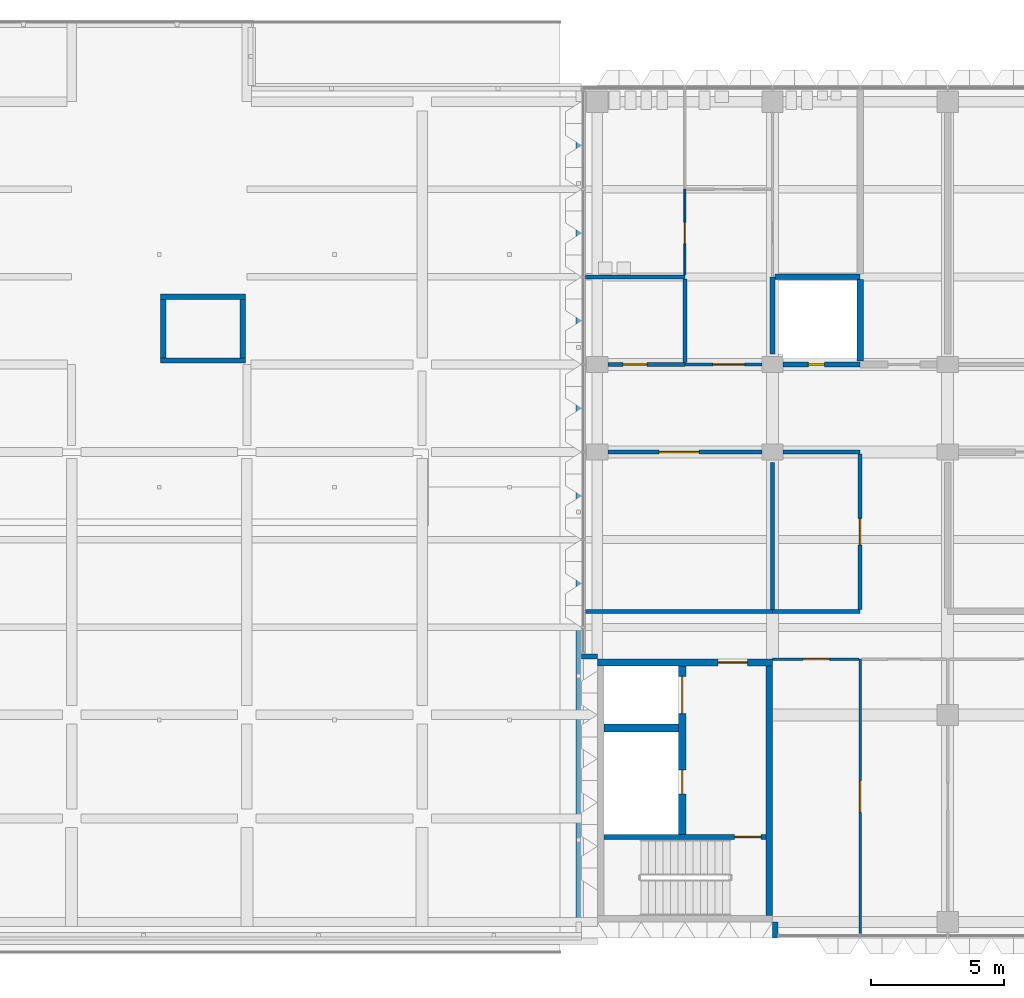
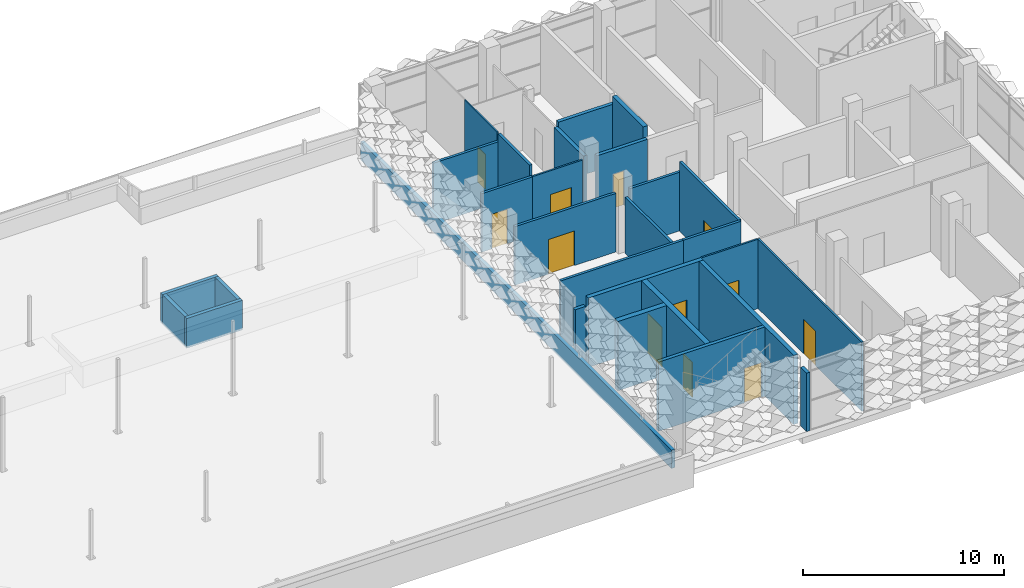
# One storey, part 11 of 39: 29 walls, 12 doors, 12 openings.
"""IFC4 building model written with IfcOpenShell, lengths in metres."""

from ifc_helpers import new_model, si_unit, direction, frame, frame_2d, origin, place, context, subcontext, project, spatial, rectangle, extrude, material, layer, layer_set, type_object, element, fill, save


model = new_model("IFC4")

# Units and contexts
model_context = context("Model", 3, precision=1e-05, world=origin(), true_north=direction((0.0, 1.0)))
body_context = subcontext(model_context, "Body", "Model", "MODEL_VIEW")
ifc_project = project(units=[si_unit("LENGTHUNIT", "METRE"), si_unit("AREAUNIT", "SQUARE_METRE"), si_unit("VOLUMEUNIT", "CUBIC_METRE"), si_unit("PLANEANGLEUNIT", "RADIAN"), si_unit("MASSUNIT", "GRAM", prefix="KILO")], contexts=[model_context])

# Site, building, storey
site_placement = place(None, origin())
site = spatial("IfcSite", under=ifc_project, at=site_placement, CompositionType="ELEMENT")
building_placement = place(site_placement, origin())
building = spatial("IfcBuilding", under=site, at=building_placement, Name="Lantern Court Research Institute", CompositionType="ELEMENT")
storey_placement = place(building_placement, frame((0.0, 0.0, 27.89990234375)))
storey = spatial("IfcBuildingStorey", under=building, at=storey_placement, Name="L06", CompositionType="ELEMENT", Elevation=27.89990234375)

# Wall, opening, door
ifc_material_1 = material(Name="Insulated metal-faced clean-room panel")
ifc_layer_1 = layer(ifc_material_1, 0.10009765625)
ifc_layer_set_1 = layer_set([ifc_layer_1], Name="Insulated metal-faced clean-room panel")
wall_type_1 = type_object("IfcWallType", Name="Clean-room panel 100 EI 30", PredefinedType="PARTITIONING", material=ifc_layer_set_1)
wall_1_placement = place(storey_placement, frame((62.699951171875, 2.10009765625, 0.0), z_axis=(0.0, 0.0, 1.0), x_axis=(0.0, -1.0, 0.0)))
wall_1 = element("IfcWall", 1, at=wall_1_placement, inside=storey, type_object=wall_type_1, Name="Clean-room panel 100 EI 30", PredefinedType="PARTITIONING", context=body_context, shape_type="SweptSolid", body=[
    extrude(rectangle(XDim=10.35009765625, YDim=0.10009765625, at=frame_2d((5.175048828125, 0.0))), origin(), (0.0, 0.0, 1.0), 4.2001953125),
])
opening_1_placement = place(wall_1_placement, frame((4.574951171875, 0.0, 0.0)))
opening_1 = element("IfcOpeningElement", 2, at=opening_1_placement, cuts=wall_1, Name="Opening D5610", PredefinedType="OPENING", context=body_context, shape_type="SweptSolid", body=[
    extrude(rectangle(XDim=1.199951171875, YDim=2.10009765625, at=frame_2d((0.60009765625, 1.050048828125))), frame((0.0, 0.06005859375, 0.0), z_axis=(0.0, -1.0, 0.0), x_axis=(1.0, 0.0, 0.0)), (0.0, 0.0, 1.0), 0.1201171875),
])
ifc_material_2 = material(Name="Solid-core timber door leaf", Category="wood")
ifc_layer_2 = layer(ifc_material_2, 0.053955078125)
ifc_layer_set_2 = layer_set([ifc_layer_2], Name="Solid-core timber door leaf")
door_type_1 = type_object("IfcDoorType", Name="Sealed airlock door 1200 x 2100 single FD30S", OperationType="NOTDEFINED", PredefinedType="DOOR", material=ifc_layer_set_2)
door_1_placement = place(opening_1_placement, origin())
door_1 = element("IfcDoor", 3, at=door_1_placement, inside=storey, type_object=door_type_1, Name="Door D5610", OperationType="SINGLE_SWING_RIGHT", OverallHeight=2.10009765625, OverallWidth=1.199951171875, PredefinedType="DOOR", context=body_context, shape_type="SweptSolid", body=[
    extrude(rectangle(XDim=1.199951171875, YDim=2.10009765625, at=frame_2d((0.60009765625, 1.050048828125))), frame((0.0, 0.02685546875, 0.0), z_axis=(0.0, -1.0, 0.0), x_axis=(1.0, 0.0, 0.0)), (0.0, 0.0, 1.0), 0.053955078125),
])
fill(opening_1, door_1)

wall_2_placement = place(storey_placement, frame((62.64990234375, 2.10009765625, 0.0), z_axis=(0.0, 0.0, 1.0), x_axis=(-1.0, 0.0, 0.0)))
wall_2 = element("IfcWall", 4, at=wall_2_placement, inside=storey, type_object=wall_type_1, Name="Clean-room panel 100 EI 30", PredefinedType="PARTITIONING", context=body_context, shape_type="SweptSolid", body=[
    extrude(rectangle(XDim=3.249755859375, YDim=0.10009765625, at=frame_2d((1.625, 0.0))), origin(), (0.0, 0.0, 1.0), 4.2001953125),
])
opening_2_placement = place(wall_2_placement, frame((1.10009765625, 0.0, 0.0)))
opening_2 = element("IfcOpeningElement", 5, at=opening_2_placement, cuts=wall_2, Name="Opening D5609", PredefinedType="OPENING", context=body_context, shape_type="SweptSolid", body=[
    extrude(rectangle(XDim=1.0, YDim=2.10009765625, at=frame_2d((0.5, 1.050048828125))), frame((0.0, 0.06005859375, 0.0), z_axis=(0.0, -1.0, 0.0), x_axis=(1.0, 0.0, 0.0)), (0.0, 0.0, 1.0), 0.1201171875),
])
ifc_material_3 = material(Name="Solid-core timber door leaf", Category="wood")
ifc_layer_3 = layer(ifc_material_3, 0.053955078125)
ifc_layer_set_3 = layer_set([ifc_layer_3], Name="Solid-core timber door leaf")
door_type_2 = type_object("IfcDoorType", Name="Gowning room door 1000 x 2100 single FD30S", OperationType="NOTDEFINED", PredefinedType="DOOR", material=ifc_layer_set_3)
door_2_placement = place(opening_2_placement, origin())
door_2 = element("IfcDoor", 6, at=door_2_placement, inside=storey, type_object=door_type_2, Name="Door D5609", OperationType="SINGLE_SWING_LEFT", OverallHeight=2.10009765625, OverallWidth=1.0, PredefinedType="DOOR", context=body_context, shape_type="SweptSolid", body=[
    extrude(rectangle(XDim=1.0, YDim=2.10009765625, at=frame_2d((0.5, 1.050048828125))), frame((0.0, 0.02685546875, 0.0), z_axis=(0.0, -1.0, 0.0), x_axis=(1.0, 0.0, 0.0)), (0.0, 0.0, 1.0), 0.053955078125),
])
fill(opening_2, door_2)

ifc_material_4 = material(Name="Fire-rated gypsum board partition, mineral wool filled")
ifc_layer_4 = layer(ifc_material_4, 0.199951171875)
ifc_layer_set_4 = layer_set([ifc_layer_4], Name="Fire-rated gypsum board partition, mineral wool filled")
wall_type_2 = type_object("IfcWallType", Name="Compartment wall 200 EI 120", PredefinedType="PARTITIONING", material=ifc_layer_set_4)
wall_3_placement = place(storey_placement, frame((59.800048828125, 13.199951171875, 0.0), z_axis=(0.0, 0.0, 1.0), x_axis=(1.0, 0.0, 0.0)))
wall_3 = element("IfcWall", 7, at=wall_3_placement, inside=storey, type_object=wall_type_2, Name="Compartment wall 200 EI 120", PredefinedType="PARTITIONING", context=body_context, shape_type="SweptSolid", body=[
    extrude(rectangle(XDim=2.89990234375, YDim=0.199951171875, at=frame_2d((1.449951171875, 0.0))), origin(), (0.0, 0.0, 1.0), 3.550048828125),
])
opening_3_placement = place(wall_3_placement, frame((0.949951171875, 0.0, 0.0)))
opening_3 = element("IfcOpeningElement", 8, at=opening_3_placement, cuts=wall_3, Name="Opening D5605", PredefinedType="OPENING", context=body_context, shape_type="SweptSolid", body=[
    extrude(rectangle(XDim=0.60009765625, YDim=2.10009765625, at=frame_2d((0.300048828125, 1.050048828125))), frame((0.0, 0.10986328125, 0.0), z_axis=(0.0, -1.0, 0.0), x_axis=(1.0, 0.0, 0.0)), (0.0, 0.0, 1.0), 0.219970703125),
])
ifc_material_5 = material(Name="Solid-core timber door leaf", Category="wood")
ifc_layer_5 = layer(ifc_material_5, 0.06005859375)
ifc_layer_set_5 = layer_set([ifc_layer_5], Name="Solid-core timber door leaf")
door_type_3 = type_object("IfcDoorType", Name="Service riser door 600 x 2100 single FD60", OperationType="NOTDEFINED", PredefinedType="DOOR", material=ifc_layer_set_5)
door_3_placement = place(opening_3_placement, origin())
door_3 = element("IfcDoor", 9, at=door_3_placement, inside=storey, type_object=door_type_3, Name="Door D5605", OperationType="SINGLE_SWING_RIGHT", OverallHeight=2.10009765625, OverallWidth=0.60009765625, PredefinedType="DOOR", context=body_context, shape_type="SweptSolid", body=[
    extrude(rectangle(XDim=0.60009765625, YDim=2.10009765625, at=frame_2d((0.300048828125, 1.050048828125))), frame((0.0, 0.030029296875, 0.0), z_axis=(0.0, -1.0, 0.0), x_axis=(1.0, 0.0, 0.0)), (0.0, 0.0, 1.0), 0.06005859375),
])
fill(opening_3, door_3)

# Walls
wall_4_placement = place(storey_placement, frame((59.39990234375, 13.60009765625, 0.0), z_axis=(0.0, 0.0, 1.0), x_axis=(0.0, 1.0, 0.0)))
element("IfcWall", 10, at=wall_4_placement, inside=storey, type_object=wall_type_2, Name="Compartment wall 200 EI 120", PredefinedType="PARTITIONING", context=body_context, shape_type="SweptSolid", body=[
    extrude(rectangle(XDim=2.89990234375, YDim=0.199951171875, at=frame_2d((1.449951171875, 0.0))), origin(), (0.0, 0.0, 1.0), 3.400146484375),
])
wall_5_placement = place(storey_placement, frame((62.699951171875, 16.5, 0.0), z_axis=(0.0, 0.0, 1.0), x_axis=(-1.0, 0.0, 0.0)))
element("IfcWall", 11, at=wall_5_placement, inside=storey, type_object=wall_type_2, Name="Compartment wall 200 EI 120", PredefinedType="PARTITIONING", context=body_context, shape_type="SweptSolid", body=[
    extrude(rectangle(XDim=3.199951171875, YDim=0.199951171875, at=frame_2d((1.60009765625, 0.0))), origin(), (0.0, 0.0, 1.0), 3.7001953125),
])

# Wall, opening, door
ifc_material_6 = material(Name="Fire-rated gypsum board partition, mineral wool filled")
ifc_layer_6 = layer(ifc_material_6, 0.14990234375)
ifc_layer_set_6 = layer_set([ifc_layer_6], Name="Fire-rated gypsum board partition, mineral wool filled")
wall_type_3 = type_object("IfcWallType", Name="Laboratory partition 150 EI 60", PredefinedType="PARTITIONING", material=ifc_layer_set_6)
wall_6_placement = place(storey_placement, frame((56.10009765625, 13.199951171875, 0.0), z_axis=(0.0, 0.0, 1.0), x_axis=(-1.0, 0.0, 0.0)))
wall_6 = element("IfcWall", 12, at=wall_6_placement, inside=storey, type_object=wall_type_3, Name="Laboratory partition 150 EI 60", PredefinedType="PARTITIONING", context=body_context, shape_type="SweptSolid", body=[
    extrude(rectangle(XDim=2.900146484375, YDim=0.14990234375, at=frame_2d((1.4501953125, 0.0))), origin(), (0.0, 0.0, 1.0), 3.550048828125),
])
opening_4_placement = place(wall_6_placement, frame((1.425048828125, 0.0, 0.0)))
opening_4 = element("IfcOpeningElement", 13, at=opening_4_placement, cuts=wall_6, Name="Opening D5601", PredefinedType="OPENING", context=body_context, shape_type="SweptSolid", body=[
    extrude(rectangle(XDim=0.89990234375, YDim=2.10009765625, at=frame_2d((0.449951171875, 1.050048828125))), frame((0.0, 0.0849609375, 0.0), z_axis=(0.0, -1.0, 0.0), x_axis=(1.0, 0.0, 0.0)), (0.0, 0.0, 1.0), 0.169921875),
])
ifc_material_7 = material(Name="Solid-core timber door leaf", Category="wood")
ifc_layer_7 = layer(ifc_material_7, 0.053955078125)
ifc_layer_set_7 = layer_set([ifc_layer_7], Name="Solid-core timber door leaf")
door_type_4 = type_object("IfcDoorType", Name="Cleaners store door 900 x 2100 single FD30S", OperationType="NOTDEFINED", PredefinedType="DOOR", material=ifc_layer_set_7)
door_4_placement = place(opening_4_placement, origin())
door_4 = element("IfcDoor", 14, at=door_4_placement, inside=storey, type_object=door_type_4, Name="Door D5601", OperationType="SINGLE_SWING_LEFT", OverallHeight=2.10009765625, OverallWidth=0.89990234375, PredefinedType="DOOR", context=body_context, shape_type="SweptSolid", body=[
    extrude(rectangle(XDim=0.89990234375, YDim=2.10009765625, at=frame_2d((0.449951171875, 1.050048828125))), frame((0.0, 0.02685546875, 0.0), z_axis=(0.0, -1.0, 0.0), x_axis=(1.0, 0.0, 0.0)), (0.0, 0.0, 1.0), 0.053955078125),
])
fill(opening_4, door_4)

wall_7_placement = place(storey_placement, frame((53.199951171875, 9.89990234375, 0.0), z_axis=(0.0, 0.0, 1.0), x_axis=(1.0, 0.0, 0.0)))
wall_7 = element("IfcWall", 15, at=wall_7_placement, inside=storey, type_object=wall_type_3, Name="Laboratory partition 150 EI 60", PredefinedType="PARTITIONING", context=body_context, shape_type="SweptSolid", body=[
    extrude(rectangle(XDim=5.800048828125, YDim=0.14990234375, at=frame_2d((2.89990234375, 0.0))), origin(), (0.0, 0.0, 1.0), 3.550048828125),
])
opening_5_placement = place(wall_7_placement, frame((1.925048828125, 0.0, 0.0)))
opening_5 = element("IfcOpeningElement", 16, at=opening_5_placement, cuts=wall_7, Name="Opening D5615", PredefinedType="OPENING", context=body_context, shape_type="SweptSolid", body=[
    extrude(rectangle(XDim=1.5, YDim=2.10009765625, at=frame_2d((0.75, 1.050048828125))), frame((0.0, 0.0849609375, 0.0), z_axis=(0.0, -1.0, 0.0), x_axis=(1.0, 0.0, 0.0)), (0.0, 0.0, 1.0), 0.169921875),
])
ifc_material_8 = material(Name="Solid-core timber door leaf with vision panel", Category="wood")
ifc_layer_8 = layer(ifc_material_8, 0.053955078125)
ifc_layer_set_8 = layer_set([ifc_layer_8], Name="Solid-core timber door leaf with vision panel")
door_type_5 = type_object("IfcDoorType", Name="Laboratory double door 1500 x 2100 pair FD30S", OperationType="DOUBLE_DOOR_SINGLE_SWING", PredefinedType="DOOR", material=ifc_layer_set_8)
door_5_placement = place(opening_5_placement, origin())
door_5 = element("IfcDoor", 17, at=door_5_placement, inside=storey, type_object=door_type_5, Name="Door D5615", OperationType="DOUBLE_DOOR_SINGLE_SWING", OverallHeight=2.10009765625, OverallWidth=1.5, PredefinedType="DOOR", context=body_context, shape_type="SweptSolid", body=[
    extrude(rectangle(XDim=1.5, YDim=2.10009765625, at=frame_2d((0.75, 1.050048828125))), frame((0.0, 0.02685546875, 0.0), z_axis=(0.0, -1.0, 0.0), x_axis=(1.0, 0.0, 0.0)), (0.0, 0.0, 1.0), 0.053955078125),
])
fill(opening_5, door_5)

# Walls
wall_8_placement = place(storey_placement, frame((59.800048828125, 9.89990234375, 0.0), z_axis=(0.0, 0.0, 1.0), x_axis=(1.0, 0.0, 0.0)))
element("IfcWall", 18, at=wall_8_placement, inside=storey, type_object=wall_type_3, Name="Laboratory partition 150 EI 60", PredefinedType="PARTITIONING", context=body_context, shape_type="SweptSolid", body=[
    extrude(rectangle(XDim=2.89990234375, YDim=0.14990234375, at=frame_2d((1.449951171875, 0.0))), origin(), (0.0, 0.0, 1.0), 3.550048828125),
])
wall_9_placement = place(storey_placement, frame((56.10009765625, 16.5, 0.0), z_axis=(0.0, 0.0, 1.0), x_axis=(-1.0, 0.0, 0.0)))
element("IfcWall", 19, at=wall_9_placement, inside=storey, type_object=wall_type_3, Name="Laboratory partition 150 EI 60", PredefinedType="PARTITIONING", context=body_context, shape_type="SweptSolid", body=[
    extrude(rectangle(XDim=3.75, YDim=0.14990234375, at=frame_2d((1.875, 0.0))), origin(), (0.0, 0.0, 1.0), 3.7001953125),
])
wall_10_placement = place(storey_placement, frame((56.10009765625, 13.27490234375, 0.0), z_axis=(0.0, 0.0, 1.0), x_axis=(0.0, 1.0, 0.0)))
element("IfcWall", 20, at=wall_10_placement, inside=storey, type_object=wall_type_3, Name="Laboratory partition 150 EI 60", PredefinedType="PARTITIONING", context=body_context, shape_type="SweptSolid", body=[
    extrude(rectangle(XDim=3.150146484375, YDim=0.14990234375, at=frame_2d((1.5751953125, 0.0))), origin(), (0.0, 0.0, 1.0), 4.2001953125),
])
wall_11_placement = place(storey_placement, frame((59.39990234375, 3.89990234375, 0.0), z_axis=(0.0, 0.0, 1.0), x_axis=(-1.0, 0.0, 0.0)))
element("IfcWall", 21, at=wall_11_placement, inside=storey, type_object=wall_type_3, Name="Laboratory partition 150 EI 60", PredefinedType="PARTITIONING", context=body_context, shape_type="SweptSolid", body=[
    extrude(rectangle(XDim=7.0498046875, YDim=0.14990234375, at=frame_2d((3.52490234375, 0.0))), origin(), (0.0, 0.0, 1.0), 4.2001953125),
])
wall_12_placement = place(storey_placement, frame((62.699951171875, 3.89990234375, 0.0), z_axis=(0.0, 0.0, 1.0), x_axis=(-1.0, 0.0, 0.0)))
element("IfcWall", 22, at=wall_12_placement, inside=storey, type_object=wall_type_3, Name="Laboratory partition 150 EI 60", PredefinedType="PARTITIONING", context=body_context, shape_type="SweptSolid", body=[
    extrude(rectangle(XDim=3.300048828125, YDim=0.14990234375, at=frame_2d((1.64990234375, 0.0))), origin(), (0.0, 0.0, 1.0), 4.2001953125),
])
wall_13_placement = place(storey_placement, frame((59.39990234375, 3.97509765625, 0.0), z_axis=(0.0, 0.0, 1.0), x_axis=(0.0, 1.0, 0.0)))
element("IfcWall", 23, at=wall_13_placement, inside=storey, type_object=wall_type_3, Name="Laboratory partition 150 EI 60", PredefinedType="PARTITIONING", context=body_context, shape_type="SweptSolid", body=[
    extrude(rectangle(XDim=5.52490234375, YDim=0.14990234375, at=frame_2d((2.762451171875, 0.0))), origin(), (0.0, 0.0, 1.0), 3.400146484375),
])

# Wall, opening, door
wall_14_placement = place(storey_placement, frame((62.699951171875, 9.824951171875, 0.0), z_axis=(0.0, 0.0, 1.0), x_axis=(0.0, -1.0, 0.0)))
wall_14 = element("IfcWall", 24, at=wall_14_placement, inside=storey, type_object=wall_type_3, Name="Laboratory partition 150 EI 60", PredefinedType="PARTITIONING", context=body_context, shape_type="SweptSolid", body=[
    extrude(rectangle(XDim=5.849853515625, YDim=0.14990234375, at=frame_2d((2.9248046875, 0.0))), origin(), (0.0, 0.0, 1.0), 4.2001953125),
])
opening_6_placement = place(wall_14_placement, frame((2.425048828125, 0.0, 0.0)))
opening_6 = element("IfcOpeningElement", 25, at=opening_6_placement, cuts=wall_14, Name="Opening D5616", PredefinedType="OPENING", context=body_context, shape_type="SweptSolid", body=[
    extrude(rectangle(XDim=1.0, YDim=2.10009765625, at=frame_2d((0.5, 1.050048828125))), frame((0.0, 0.0849609375, 0.0), z_axis=(0.0, -1.0, 0.0), x_axis=(1.0, 0.0, 0.0)), (0.0, 0.0, 1.0), 0.169921875),
])
ifc_material_9 = material(Name="Solid-core timber door leaf with vision panel", Category="wood")
ifc_layer_9 = layer(ifc_material_9, 0.053955078125)
ifc_layer_set_9 = layer_set([ifc_layer_9], Name="Solid-core timber door leaf with vision panel")
door_type_6 = type_object("IfcDoorType", Name="Laboratory door 1000 x 2100 single FD30S", OperationType="NOTDEFINED", PredefinedType="DOOR", material=ifc_layer_set_9)
door_6_placement = place(opening_6_placement, origin())
door_6 = element("IfcDoor", 26, at=door_6_placement, inside=storey, type_object=door_type_6, Name="Door D5616", OperationType="SINGLE_SWING_RIGHT", OverallHeight=2.10009765625, OverallWidth=1.0, PredefinedType="DOOR", context=body_context, shape_type="SweptSolid", body=[
    extrude(rectangle(XDim=1.0, YDim=2.10009765625, at=frame_2d((0.5, 1.050048828125))), frame((0.0, 0.02685546875, 0.0), z_axis=(0.0, -1.0, 0.0), x_axis=(1.0, 0.0, 0.0)), (0.0, 0.0, 1.0), 0.053955078125),
])
fill(opening_6, door_6)

# Wall
ifc_material_10 = material(Name="Concrete C30/37", Category="concrete")
ifc_layer_10 = layer(ifc_material_10, 0.199951171875)
ifc_layer_set_10 = layer_set([ifc_layer_10], Name="Concrete C30/37")
wall_type_4 = type_object("IfcWallType", Name="Parapet 200 concrete upstand", PredefinedType="PARAPET", material=ifc_layer_set_10)
wall_15_placement = place(storey_placement, frame((52.10009765625, -7.800048828125, 0.0), z_axis=(0.0, 0.0, 1.0), x_axis=(0.0, 1.0, 0.0)))
element("IfcWall", 27, at=wall_15_placement, inside=storey, type_object=wall_type_4, Name="Parapet L06 Wet Laboratory Wing 5", PredefinedType="PARAPET", context=body_context, shape_type="SweptSolid", body=[
    extrude(rectangle(XDim=30.900146484375, YDim=0.199951171875, at=frame_2d((15.4501953125, 0.0))), origin(), (0.0, 0.0, 1.0), 1.10009765625),
])

# Wall, opening, door
ifc_material_11 = material(Name="Gypsum board partition, mineral wool filled")
ifc_layer_11 = layer(ifc_material_11, 0.10009765625)
ifc_layer_set_11 = layer_set([ifc_layer_11], Name="Gypsum board partition, mineral wool filled")
wall_type_5 = type_object("IfcWallType", Name="Partition 100", PredefinedType="PARTITIONING", material=ifc_layer_set_11)
wall_16_placement = place(storey_placement, frame((56.10009765625, 13.199951171875, 0.0), z_axis=(0.0, 0.0, 1.0), x_axis=(1.0, 0.0, 0.0)))
wall_16 = element("IfcWall", 28, at=wall_16_placement, inside=storey, type_object=wall_type_5, Name="Partition 100", PredefinedType="PARTITIONING", context=body_context, shape_type="SweptSolid", body=[
    extrude(rectangle(XDim=2.89990234375, YDim=0.10009765625, at=frame_2d((1.449951171875, 0.0))), origin(), (0.0, 0.0, 1.0), 3.550048828125),
])
opening_7_placement = place(wall_16_placement, frame((1.050048828125, 0.0, 0.0)))
opening_7 = element("IfcOpeningElement", 29, at=opening_7_placement, cuts=wall_16, Name="Opening D5603", PredefinedType="OPENING", context=body_context, shape_type="SweptSolid", body=[
    extrude(rectangle(XDim=1.199951171875, YDim=2.10009765625, at=frame_2d((0.60009765625, 1.050048828125))), frame((0.0, 0.06005859375, 0.0), z_axis=(0.0, -1.0, 0.0), x_axis=(1.0, 0.0, 0.0)), (0.0, 0.0, 1.0), 0.1201171875),
])
ifc_material_12 = material(Name="Solid-core timber door leaf", Category="wood")
ifc_layer_12 = layer(ifc_material_12, 0.0439453125)
ifc_layer_set_12 = layer_set([ifc_layer_12], Name="Solid-core timber door leaf")
door_type_7 = type_object("IfcDoorType", Name="WC vestibule door 1200 x 2100 single NOT RATED", OperationType="NOTDEFINED", PredefinedType="DOOR", material=ifc_layer_set_12)
door_7_placement = place(opening_7_placement, origin())
door_7 = element("IfcDoor", 30, at=door_7_placement, inside=storey, type_object=door_type_7, Name="Door D5603", OperationType="SINGLE_SWING_RIGHT", OverallHeight=2.10009765625, OverallWidth=1.199951171875, PredefinedType="DOOR", context=body_context, shape_type="SweptSolid", body=[
    extrude(rectangle(XDim=1.199951171875, YDim=2.10009765625, at=frame_2d((0.60009765625, 1.050048828125))), frame((0.0, 0.02197265625, 0.0), z_axis=(0.0, -1.0, 0.0), x_axis=(1.0, 0.0, 0.0)), (0.0, 0.0, 1.0), 0.0439453125),
])
fill(opening_7, door_7)

# Wall
ifc_material_13 = material(Name="Fire-rated gypsum board partition, double stud, mineral wool filled")
ifc_layer_13 = layer(ifc_material_13, 0.25)
ifc_layer_set_13 = layer_set([ifc_layer_13], Name="Fire-rated gypsum board partition, double stud, mineral wool filled")
wall_type_6 = type_object("IfcWallType", Name="Plant compartment wall 250 EI 120", PredefinedType="PARTITIONING", material=ifc_layer_set_13)
wall_17_placement = place(storey_placement, frame((62.699951171875, 13.324951171875, 0.0), z_axis=(0.0, 0.0, 1.0), x_axis=(0.0, 1.0, 0.0)))
element("IfcWall", 31, at=wall_17_placement, inside=storey, type_object=wall_type_6, Name="Plant compartment wall 250 EI 120", PredefinedType="PARTITIONING", context=body_context, shape_type="SweptSolid", body=[
    extrude(rectangle(XDim=3.074951171875, YDim=0.25, at=frame_2d((1.53759765625, 0.0))), origin(), (0.0, 0.0, 1.0), 4.2001953125),
])

# Wall, opening, door
ifc_material_14 = material(Name="Concrete C40/50", Category="concrete")
ifc_layer_14 = layer(ifc_material_14, 0.25)
ifc_layer_set_14 = layer_set([ifc_layer_14], Name="Concrete C40/50")
wall_type_7 = type_object("IfcWallType", Name="RC core wall 250", PredefinedType="SHEAR", material=ifc_layer_set_14)
wall_18_placement = place(storey_placement, frame((59.39990234375, 1.97509765625, 0.0), z_axis=(0.0, 0.0, 1.0), x_axis=(-1.0, 0.0, 0.0)))
wall_18 = element("IfcWall", 32, at=wall_18_placement, inside=storey, type_object=wall_type_7, Name="North wall of core TC-W", PredefinedType="SHEAR", context=body_context, shape_type="SweptSolid", body=[
    extrude(rectangle(XDim=6.599853515625, YDim=0.25, at=frame_2d((3.2998046875, 0.0))), origin(), (0.0, 0.0, 1.0), 4.2001953125),
])
opening_8_placement = place(wall_18_placement, frame((0.949951171875, 0.0, 0.0)))
opening_8 = element("IfcOpeningElement", 33, at=opening_8_placement, cuts=wall_18, Name="Opening D7125", PredefinedType="OPENING", context=body_context, shape_type="SweptSolid", body=[
    extrude(rectangle(XDim=1.10009765625, YDim=2.10009765625, at=frame_2d((0.550048828125, 1.050048828125))), frame((0.0, 0.135009765625, 0.0), z_axis=(0.0, -1.0, 0.0), x_axis=(1.0, 0.0, 0.0)), (0.0, 0.0, 1.0), 0.27001953125),
])
ifc_material_15 = material(Name="Steel fire door leaf with smoke seals", Category="steel")
door_type_8 = type_object("IfcDoorType", Name="Door 1100 x 2100 fire rated FD60S", OperationType="NOTDEFINED", PredefinedType="DOOR", material=ifc_material_15)
door_8_placement = place(opening_8_placement, origin())
door_8 = element("IfcDoor", 34, at=door_8_placement, inside=storey, type_object=door_type_8, Name="Lobby door", OperationType="SINGLE_SWING_RIGHT", OverallHeight=2.10009765625, OverallWidth=1.10009765625, PredefinedType="DOOR", context=body_context, shape_type="SweptSolid", body=[
    extrude(rectangle(XDim=1.10009765625, YDim=2.10009765625, at=frame_2d((0.550048828125, 1.050048828125))), frame((0.0, 0.02490234375, 0.0), z_axis=(0.0, -1.0, 0.0), x_axis=(1.0, 0.0, 0.0)), (0.0, 0.0, 1.0), 0.050048828125),
])
fill(opening_8, door_8)

# Walls
wall_19_placement = place(storey_placement, frame((59.27490234375, 1.85009765625, 0.0), z_axis=(0.0, 0.0, 1.0), x_axis=(0.0, -1.0, 0.0)))
element("IfcWall", 35, at=wall_19_placement, inside=storey, type_object=wall_type_7, Name="East wall of core TC-W", PredefinedType="SHEAR", context=body_context, shape_type="SweptSolid", body=[
    extrude(rectangle(XDim=9.400146484375, YDim=0.25, at=frame_2d((4.7001953125, 0.0))), origin(), (0.0, 0.0, 1.0), 4.2001953125),
])
ifc_material_16 = material(Name="Concrete C40/50", Category="concrete")
ifc_layer_15 = layer(ifc_material_16, 0.199951171875)
ifc_layer_set_15 = layer_set([ifc_layer_15], Name="Concrete C40/50")
wall_type_8 = type_object("IfcWallType", Name="RC lift overrun wall 200", PredefinedType="SHEAR", material=ifc_layer_set_15)
for number, where, z_axis, x_axis, name in (
    (36, (36.35009765625, 13.35009765625, 0.0), (0.0, 0.0, 1.0), (1.0, 0.0, 0.0), "Lift overrun wall of core BC-E (south)"),
    (37, (36.35009765625, 15.75, 0.0), (0.0, 0.0, 1.0), (1.0, 0.0, 0.0), "Lift overrun wall of core BC-E (north)"),
):
    element("IfcWall", number, at=place(storey_placement, frame(where, z_axis=z_axis, x_axis=x_axis)), inside=storey, type_object=wall_type_8, Name=name, PredefinedType="SHEAR", context=body_context, shape_type="SweptSolid", body=[
        extrude(rectangle(XDim=3.199951171875, YDim=0.199951171875, at=frame_2d((1.60009765625, 0.0))), origin(), (0.0, 0.0, 1.0), 1.800048828125),
    ])
for number, where, z_axis, x_axis, name in (
    (38, (36.449951171875, 13.449951171875, 0.0), (0.0, 0.0, 1.0), (0.0, 1.0, 0.0), "Lift overrun wall of core BC-E (west)"),
    (39, (39.449951171875, 13.449951171875, 0.0), (0.0, 0.0, 1.0), (0.0, 1.0, 0.0), "Lift overrun wall of core BC-E (east)"),
):
    element("IfcWall", number, at=place(storey_placement, frame(where, z_axis=z_axis, x_axis=x_axis)), inside=storey, type_object=wall_type_8, Name=name, PredefinedType="SHEAR", context=body_context, shape_type="SweptSolid", body=[
        extrude(rectangle(XDim=2.199951171875, YDim=0.199951171875, at=frame_2d((1.10009765625, 0.0))), origin(), (0.0, 0.0, 1.0), 1.800048828125),
    ])

# Wall, opening, door
ifc_material_17 = material(Name="Concrete C40/50", Category="concrete")
ifc_layer_16 = layer(ifc_material_17, 0.199951171875)
ifc_layer_set_16 = layer_set([ifc_layer_16], Name="Concrete C40/50")
wall_type_9 = type_object("IfcWallType", Name="RC shaft wall 200", PredefinedType="SHEAR", material=ifc_layer_set_16)
wall_20_placement = place(storey_placement, frame((59.14990234375, -4.60009765625, 0.0), z_axis=(0.0, 0.0, 1.0), x_axis=(-1.0, 0.0, 0.0)))
wall_20 = element("IfcWall", 40, at=wall_20_placement, inside=storey, type_object=wall_type_9, Name="Stair wall of core TC-W", PredefinedType="SHEAR", context=body_context, shape_type="SweptSolid", body=[
    extrude(rectangle(XDim=6.099853515625, YDim=0.199951171875, at=frame_2d((3.0498046875, 0.0))), origin(), (0.0, 0.0, 1.0), 4.2001953125),
])
opening_9_placement = place(wall_20_placement, frame((0.175048828125, 0.0, 0.0)))
opening_9 = element("IfcOpeningElement", 41, at=opening_9_placement, cuts=wall_20, Name="Opening D7126", PredefinedType="OPENING", context=body_context, shape_type="SweptSolid", body=[
    extrude(rectangle(XDim=1.0, YDim=2.10009765625, at=frame_2d((0.5, 1.050048828125))), frame((0.0, 0.10986328125, 0.0), z_axis=(0.0, -1.0, 0.0), x_axis=(1.0, 0.0, 0.0)), (0.0, 0.0, 1.0), 0.219970703125),
])
ifc_material_18 = material(Name="Steel fire door leaf with smoke seals", Category="steel")
door_type_9 = type_object("IfcDoorType", Name="Door 1000 x 2100 fire rated FD60S", OperationType="NOTDEFINED", PredefinedType="DOOR", material=ifc_material_18)
door_9_placement = place(opening_9_placement, origin())
door_9 = element("IfcDoor", 42, at=door_9_placement, inside=storey, type_object=door_type_9, Name="Stair door", OperationType="SINGLE_SWING_RIGHT", OverallHeight=2.10009765625, OverallWidth=1.0, PredefinedType="DOOR", context=body_context, shape_type="SweptSolid", body=[
    extrude(rectangle(XDim=1.0, YDim=2.10009765625, at=frame_2d((0.5, 1.050048828125))), frame((0.0, 0.02490234375, 0.0), z_axis=(0.0, -1.0, 0.0), x_axis=(1.0, 0.0, 0.0)), (0.0, 0.0, 1.0), 0.050048828125),
])
fill(opening_9, door_9)

# Wall, openings, doors
ifc_material_19 = material(Name="Concrete C40/50", Category="concrete")
ifc_layer_17 = layer(ifc_material_19, 0.300048828125)
ifc_layer_set_17 = layer_set([ifc_layer_17], Name="Concrete C40/50")
wall_type_10 = type_object("IfcWallType", Name="RC shaft wall 300", PredefinedType="SHEAR", material=ifc_layer_set_17)
wall_21_placement = place(storey_placement, frame((56.0, 1.85009765625, 0.0), z_axis=(0.0, 0.0, 1.0), x_axis=(0.0, -1.0, 0.0)))
wall_21 = element("IfcWall", 43, at=wall_21_placement, inside=storey, type_object=wall_type_10, Name="Lift shaft wall of core TC-W", PredefinedType="SHEAR", context=body_context, shape_type="SweptSolid", body=[
    extrude(rectangle(XDim=6.35009765625, YDim=0.300048828125, at=frame_2d((3.175048828125, 0.0))), origin(), (0.0, 0.0, 1.0), 4.2001953125),
])
opening_10_placement = place(wall_21_placement, frame((3.925048828125, 0.0, 0.0)))
opening_10 = element("IfcOpeningElement", 44, at=opening_10_placement, cuts=wall_21, Name="Opening D7124", PredefinedType="OPENING", context=body_context, shape_type="SweptSolid", body=[
    extrude(rectangle(XDim=0.89990234375, YDim=2.10009765625, at=frame_2d((0.449951171875, 1.050048828125))), frame((0.0, 0.159912109375, 0.0), z_axis=(0.0, -1.0, 0.0), x_axis=(1.0, 0.0, 0.0)), (0.0, 0.0, 1.0), 0.320068359375),
])
opening_11_placement = place(wall_21_placement, frame((0.39990234375, 0.0, 0.0)))
opening_11 = element("IfcOpeningElement", 45, at=opening_11_placement, cuts=wall_21, Name="Opening D7127", PredefinedType="OPENING", context=body_context, shape_type="SweptSolid", body=[
    extrude(rectangle(XDim=1.39990234375, YDim=2.39990234375, at=frame_2d((0.699951171875, 1.199951171875))), frame((0.0, 0.159912109375, 0.0), z_axis=(0.0, -1.0, 0.0), x_axis=(1.0, 0.0, 0.0)), (0.0, 0.0, 1.0), 0.320068359375),
])
ifc_material_20 = material(Name="Steel fire door leaf", Category="steel")
door_type_10 = type_object("IfcDoorType", Name="Door 900 x 2100 fire rated FD60", OperationType="NOTDEFINED", PredefinedType="DOOR", material=ifc_material_20)
door_10_placement = place(opening_10_placement, origin())
door_10 = element("IfcDoor", 46, at=door_10_placement, inside=storey, type_object=door_type_10, Name="Riser door", OperationType="SINGLE_SWING_RIGHT", OverallHeight=2.10009765625, OverallWidth=0.89990234375, PredefinedType="DOOR", context=body_context, shape_type="SweptSolid", body=[
    extrude(rectangle(XDim=0.89990234375, YDim=2.10009765625, at=frame_2d((0.449951171875, 1.050048828125))), frame((0.0, 0.02490234375, 0.0), z_axis=(0.0, -1.0, 0.0), x_axis=(1.0, 0.0, 0.0)), (0.0, 0.0, 1.0), 0.050048828125),
])
fill(opening_10, door_10)
ifc_material_21 = material(Name="Stainless steel landing door panels", Category="steel")
door_type_11 = type_object("IfcDoorType", Name="Lift landing door 1400 x 2400 sliding FD60", OperationType="DOUBLE_DOOR_SLIDING", PredefinedType="NOTDEFINED", material=ifc_material_21)
door_11_placement = place(opening_11_placement, origin())
door_11 = element("IfcDoor", 47, at=door_11_placement, inside=storey, type_object=door_type_11, Name="Landing door", OperationType="DOUBLE_DOOR_SLIDING", OverallHeight=2.39990234375, OverallWidth=1.39990234375, PredefinedType="NOTDEFINED", context=body_context, shape_type="SweptSolid", body=[
    extrude(rectangle(XDim=1.39990234375, YDim=2.39990234375, at=frame_2d((0.699951171875, 1.199951171875))), frame((0.0, 0.02490234375, 0.0), z_axis=(0.0, -1.0, 0.0), x_axis=(1.0, 0.0, 0.0)), (0.0, 0.0, 1.0), 0.050048828125),
])
fill(opening_11, door_11)

# Walls
wall_22_placement = place(storey_placement, frame((55.85009765625, -0.5, 0.0), z_axis=(0.0, 0.0, 1.0), x_axis=(-1.0, 0.0, 0.0)))
element("IfcWall", 48, at=wall_22_placement, inside=storey, type_object=wall_type_10, Name="Lift shaft wall of core TC-W", PredefinedType="SHEAR", context=body_context, shape_type="SweptSolid", body=[
    extrude(rectangle(XDim=2.800048828125, YDim=0.300048828125, at=frame_2d((1.39990234375, 0.0))), origin(), (0.0, 0.0, 1.0), 4.2001953125),
])
ifc_material_22 = material(Name="Concrete C40/50", Category="concrete")
ifc_layer_18 = layer(ifc_material_22, 0.199951171875)
ifc_layer_set_18 = layer_set([ifc_layer_18], Name="Concrete C40/50")
wall_type_11 = type_object("IfcWallType", Name="Return wall 200 concrete EI 120 aluminium faced", PredefinedType="STANDARD", material=ifc_layer_set_18)
wall_23_placement = place(storey_placement, frame((59.5, -7.800048828125, 0.0), z_axis=(0.0, 0.0, 1.0), x_axis=(0.0, -1.0, 0.0)))
element("IfcWall", 49, at=wall_23_placement, inside=storey, type_object=wall_type_11, Name="Core return wall 57", PredefinedType="STANDARD", context=body_context, shape_type="SweptSolid", body=[
    extrude(rectangle(XDim=0.599853515625, YDim=0.199951171875, at=frame_2d((0.2998046875, 0.0))), origin(), (0.0, 0.0, 1.0), 3.550048828125),
])
wall_24_placement = place(storey_placement, frame((52.800048828125, 2.199951171875, 0.0), z_axis=(0.0, 0.0, 1.0), x_axis=(-1.0, 0.0, 0.0)))
element("IfcWall", 50, at=wall_24_placement, inside=storey, type_object=wall_type_11, Name="Core return wall 58", PredefinedType="STANDARD", context=body_context, shape_type="SweptSolid", body=[
    extrude(rectangle(XDim=0.60009765625, YDim=0.199951171875, at=frame_2d((0.300048828125, 0.0))), origin(), (0.0, 0.0, 1.0), 3.550048828125),
])

# Wall, opening, door
ifc_material_23 = material(Name="Gypsum board partition, mineral wool filled")
ifc_layer_19 = layer(ifc_material_23, 0.074951171875)
ifc_layer_set_19 = layer_set([ifc_layer_19], Name="Gypsum board partition, mineral wool filled")
wall_type_12 = type_object("IfcWallType", Name="Wet room partition 75", PredefinedType="PARTITIONING", material=ifc_layer_set_19)
wall_25_placement = place(storey_placement, frame((56.10009765625, 16.574951171875, 0.0), z_axis=(0.0, 0.0, 1.0), x_axis=(0.0, 1.0, 0.0)))
wall_25 = element("IfcWall", 51, at=wall_25_placement, inside=storey, type_object=wall_type_12, Name="Wet room partition 75", PredefinedType="PARTITIONING", context=body_context, shape_type="SweptSolid", body=[
    extrude(rectangle(XDim=3.22509765625, YDim=0.074951171875, at=frame_2d((1.612548828125, 0.0))), origin(), (0.0, 0.0, 1.0), 4.2001953125),
])
opening_12_placement = place(wall_25_placement, frame((1.175048828125, 0.0, 0.0)))
opening_12 = element("IfcOpeningElement", 52, at=opening_12_placement, cuts=wall_25, Name="Opening D5602", PredefinedType="OPENING", context=body_context, shape_type="SweptSolid", body=[
    extrude(rectangle(XDim=0.800048828125, YDim=2.10009765625, at=frame_2d((0.39990234375, 1.050048828125))), frame((0.0, 0.04736328125, 0.0), z_axis=(0.0, -1.0, 0.0), x_axis=(1.0, 0.0, 0.0)), (0.0, 0.0, 1.0), 0.094970703125),
])
ifc_material_24 = material(Name="Solid-core timber door leaf", Category="wood")
ifc_layer_20 = layer(ifc_material_24, 0.0439453125)
ifc_layer_set_20 = layer_set([ifc_layer_20], Name="Solid-core timber door leaf")
door_type_12 = type_object("IfcDoorType", Name="WC door 800 x 2100 single NOT RATED", OperationType="NOTDEFINED", PredefinedType="DOOR", material=ifc_layer_set_20)
door_12_placement = place(opening_12_placement, origin())
door_12 = element("IfcDoor", 53, at=door_12_placement, inside=storey, type_object=door_type_12, Name="Door D5602", OperationType="SINGLE_SWING_LEFT", OverallHeight=2.10009765625, OverallWidth=0.800048828125, PredefinedType="DOOR", context=body_context, shape_type="SweptSolid", body=[
    extrude(rectangle(XDim=0.800048828125, YDim=2.10009765625, at=frame_2d((0.39990234375, 1.050048828125))), frame((0.0, 0.02197265625, 0.0), z_axis=(0.0, -1.0, 0.0), x_axis=(1.0, 0.0, 0.0)), (0.0, 0.0, 1.0), 0.0439453125),
])
fill(opening_12, door_12)

save(model, "model.ifc")
